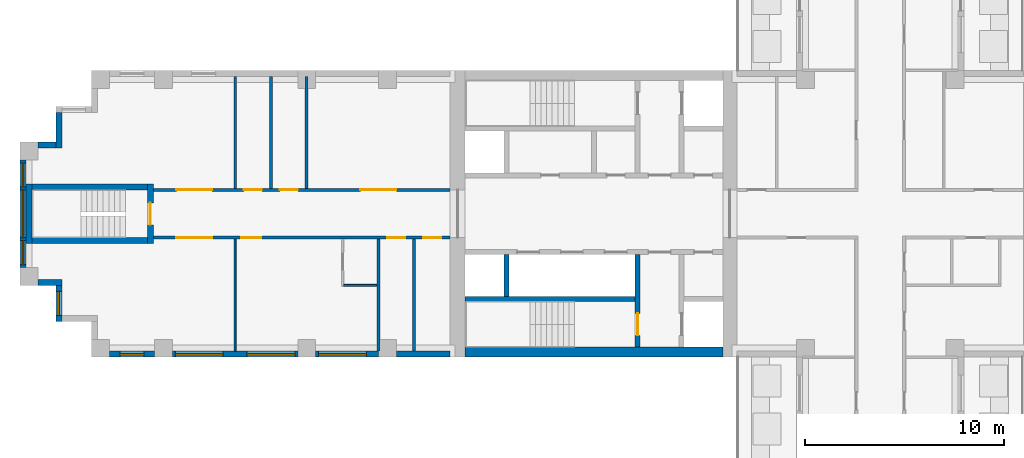
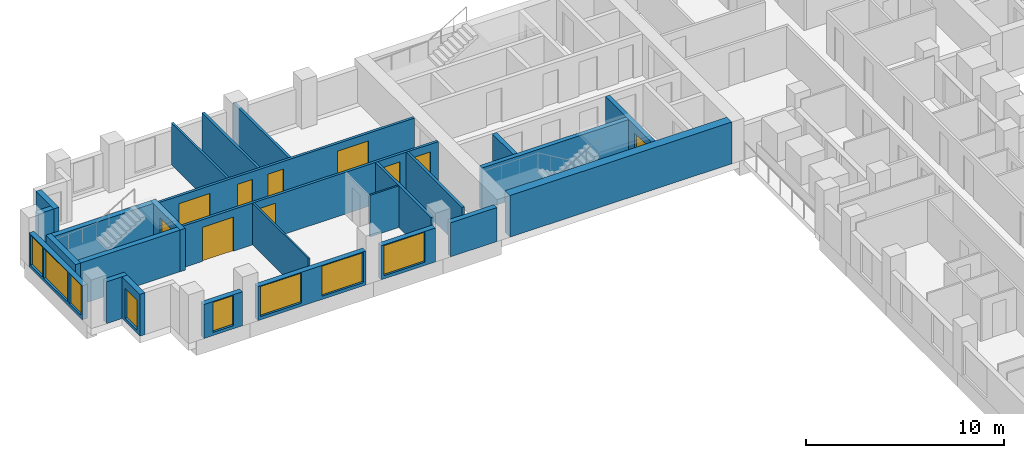
# One storey, part 5 of 13: 26 walls, 10 doors, 8 windows, 18 openings.
"""IFC4 building model written with IfcOpenShell, lengths in metres."""

from ifc_helpers import new_model, si_unit, direction, frame, frame_2d, origin, place, context, subcontext, project, spatial, rectangle, extrude, material, layer, layer_set, type_object, element, fill, save


model = new_model("IFC4")

# Units and contexts
model_context = context("Model", 3, precision=1e-05, world=origin(), true_north=direction((0.0, 1.0)))
body_context = subcontext(model_context, "Body", "Model", "MODEL_VIEW")
ifc_project = project(units=[si_unit("LENGTHUNIT", "METRE"), si_unit("AREAUNIT", "SQUARE_METRE"), si_unit("VOLUMEUNIT", "CUBIC_METRE"), si_unit("PLANEANGLEUNIT", "RADIAN"), si_unit("MASSUNIT", "GRAM", prefix="KILO")], contexts=[model_context])

# Site, building, storey
site_placement = place(None, origin())
site = spatial("IfcSite", under=ifc_project, at=site_placement, CompositionType="ELEMENT")
building_placement = place(site_placement, origin())
building = spatial("IfcBuilding", under=site, at=building_placement, Name="Fustian Cross Tower", CompositionType="ELEMENT")
storey_placement = place(building_placement, frame((0.0, 0.0, 81.89990234375)))
storey = spatial("IfcBuildingStorey", under=building, at=storey_placement, Name="L25", CompositionType="ELEMENT", Elevation=81.89990234375)

# Wall, openings, doors
ifc_material_1 = material(Name="Plasterboard on steel stud", Category="steel")
ifc_layer_1 = layer(ifc_material_1, 0.14990234375)
ifc_layer_set_1 = layer_set([ifc_layer_1], Name="Plasterboard on steel stud")
wall_type_1 = type_object("IfcWallType", Name="COMPARTMENT WALL 150 EI 60", PredefinedType="PARTITIONING", material=ifc_layer_set_1)
wall_1_placement = place(storey_placement, frame((-36.5, -1.199951171875, 0.0), z_axis=(0.0, 0.0, 1.0), x_axis=(1.0, 0.0, 0.0)))
wall_1 = element("IfcWall", 1, at=wall_1_placement, inside=storey, type_object=wall_type_1, Name="Partition 1", PredefinedType="PARTITIONING", context=body_context, shape_type="SweptSolid", body=[
    extrude(rectangle(XDim=14.89990234375, YDim=0.14990234375, at=frame_2d((7.449951171875, 0.0))), origin(), (0.0, 0.0, 1.0), 2.5751953125),
])
opening_1_placement = place(wall_1_placement, frame((13.550048828125, 0.0, 0.0)))
opening_1 = element("IfcOpeningElement", 2, at=opening_1_placement, cuts=wall_1, Name="Opening D12028", PredefinedType="OPENING", context=body_context, shape_type="SweptSolid", body=[
    extrude(rectangle(XDim=0.89990234375, YDim=2.10009765625, at=frame_2d((0.449951171875, 1.050048828125))), frame((0.0, 0.0849609375, 0.0), z_axis=(0.0, -1.0, 0.0), x_axis=(1.0, 0.0, 0.0)), (0.0, 0.0, 1.0), 0.169921875),
])
opening_2_placement = place(wall_1_placement, frame((11.75, 0.0, 0.0)))
opening_2 = element("IfcOpeningElement", 3, at=opening_2_placement, cuts=wall_1, Name="Opening D12029", PredefinedType="OPENING", context=body_context, shape_type="SweptSolid", body=[
    extrude(rectangle(XDim=0.89990234375, YDim=2.10009765625, at=frame_2d((0.449951171875, 1.050048828125))), frame((0.0, 0.0849609375, 0.0), z_axis=(0.0, -1.0, 0.0), x_axis=(1.0, 0.0, 0.0)), (0.0, 0.0, 1.0), 0.169921875),
])
opening_3_placement = place(wall_1_placement, frame((4.409912109375, 0.0, 0.0)))
opening_3 = element("IfcOpeningElement", 4, at=opening_3_placement, cuts=wall_1, Name="Opening D12031", PredefinedType="OPENING", context=body_context, shape_type="SweptSolid", body=[
    extrude(rectangle(XDim=1.0, YDim=2.10009765625, at=frame_2d((0.5, 1.050048828125))), frame((0.0, 0.0849609375, 0.0), z_axis=(0.0, -1.0, 0.0), x_axis=(1.0, 0.0, 0.0)), (0.0, 0.0, 1.0), 0.169921875),
])
opening_4_placement = place(wall_1_placement, frame((1.14990234375, 0.0, 0.0)))
opening_4 = element("IfcOpeningElement", 5, at=opening_4_placement, cuts=wall_1, Name="Opening D12032", PredefinedType="OPENING", context=body_context, shape_type="SweptSolid", body=[
    extrude(rectangle(XDim=1.800048828125, YDim=2.10009765625, at=frame_2d((0.89990234375, 1.050048828125))), frame((0.0, 0.0849609375, 0.0), z_axis=(0.0, -1.0, 0.0), x_axis=(1.0, 0.0, 0.0)), (0.0, 0.0, 1.0), 0.169921875),
])
ifc_material_2 = material(Name="Timber fire door set", Category="wood")
door_type_1 = type_object("IfcDoorType", Name="FIRE DOUBLE DOOR 1800 FD30S", OperationType="DOUBLE_DOOR_DOUBLE_SWING", PredefinedType="DOOR", material=ifc_material_2)
door_1_placement = place(opening_4_placement, origin())
door_1 = element("IfcDoor", 6, at=door_1_placement, inside=storey, type_object=door_type_1, Name="Door D12032", OperationType="DOUBLE_DOOR_DOUBLE_SWING", OverallHeight=2.10009765625, OverallWidth=1.800048828125, PredefinedType="DOOR", context=body_context, shape_type="SweptSolid", body=[
    extrude(rectangle(XDim=1.800048828125, YDim=2.10009765625, at=frame_2d((0.89990234375, 1.050048828125))), frame((0.0, 0.02490234375, 0.0), z_axis=(0.0, -1.0, 0.0), x_axis=(1.0, 0.0, 0.0)), (0.0, 0.0, 1.0), 0.050048828125),
])
fill(opening_4, door_1)
ifc_material_3 = material(Name="Timber fire door set", Category="wood")
door_type_2 = type_object("IfcDoorType", Name="FIRE SWING DOOR 1000 FD30S", OperationType="SINGLE_SWING_LEFT", PredefinedType="DOOR", material=ifc_material_3)
door_2_placement = place(opening_3_placement, frame((1.0, 0.0, 0.0), z_axis=(0.0, 0.0, 1.0), x_axis=(-1.0, 0.0, 0.0)))
door_2 = element("IfcDoor", 7, at=door_2_placement, inside=storey, type_object=door_type_2, Name="Door D12031", OperationType="SINGLE_SWING_RIGHT", OverallHeight=2.10009765625, OverallWidth=1.0, PredefinedType="DOOR", context=body_context, shape_type="SweptSolid", body=[
    extrude(rectangle(XDim=1.0, YDim=2.10009765625, at=frame_2d((0.5, 1.050048828125))), frame((0.0, 0.02490234375, 0.0), z_axis=(0.0, -1.0, 0.0), x_axis=(1.0, 0.0, 0.0)), (0.0, 0.0, 1.0), 0.050048828125),
])
fill(opening_3, door_2)
ifc_material_4 = material(Name="Timber fire door set", Category="wood")
door_type_3 = type_object("IfcDoorType", Name="FIRE SWING DOOR 900 FD30S", OperationType="SINGLE_SWING_LEFT", PredefinedType="DOOR", material=ifc_material_4)
door_3_placement = place(opening_1_placement, frame((0.89990234375, 0.0, 0.0), z_axis=(0.0, 0.0, 1.0), x_axis=(-1.0, 0.0, 0.0)))
door_3 = element("IfcDoor", 8, at=door_3_placement, inside=storey, type_object=door_type_3, Name="Door D12028", OperationType="SINGLE_SWING_LEFT", OverallHeight=2.10009765625, OverallWidth=0.89990234375, PredefinedType="DOOR", context=body_context, shape_type="SweptSolid", body=[
    extrude(rectangle(XDim=0.89990234375, YDim=2.10009765625, at=frame_2d((0.449951171875, 1.050048828125))), frame((0.0, 0.02490234375, 0.0), z_axis=(0.0, -1.0, 0.0), x_axis=(1.0, 0.0, 0.0)), (0.0, 0.0, 1.0), 0.050048828125),
])
fill(opening_1, door_3)
door_4_placement = place(opening_2_placement, frame((0.89990234375, 0.0, 0.0), z_axis=(0.0, 0.0, 1.0), x_axis=(-1.0, 0.0, 0.0)))
door_4 = element("IfcDoor", 9, at=door_4_placement, inside=storey, type_object=door_type_3, Name="Door D12029", OperationType="SINGLE_SWING_LEFT", OverallHeight=2.10009765625, OverallWidth=0.89990234375, PredefinedType="DOOR", context=body_context, shape_type="SweptSolid", body=[
    extrude(rectangle(XDim=0.89990234375, YDim=2.10009765625, at=frame_2d((0.449951171875, 1.050048828125))), frame((0.0, 0.02490234375, 0.0), z_axis=(0.0, -1.0, 0.0), x_axis=(1.0, 0.0, 0.0)), (0.0, 0.0, 1.0), 0.050048828125),
])
fill(opening_2, door_4)

wall_2_placement = place(storey_placement, frame((-36.5, 1.199951171875, 0.0), z_axis=(0.0, 0.0, 1.0), x_axis=(1.0, 0.0, 0.0)))
wall_2 = element("IfcWall", 10, at=wall_2_placement, inside=storey, type_object=wall_type_1, Name="Partition 2", PredefinedType="PARTITIONING", context=body_context, shape_type="SweptSolid", body=[
    extrude(rectangle(XDim=14.89990234375, YDim=0.14990234375, at=frame_2d((7.449951171875, 0.0))), origin(), (0.0, 0.0, 1.0), 2.5751953125),
])
opening_5_placement = place(wall_2_placement, frame((10.39990234375, 0.0, 0.0)))
opening_5 = element("IfcOpeningElement", 11, at=opening_5_placement, cuts=wall_2, Name="Opening D12033", PredefinedType="OPENING", context=body_context, shape_type="SweptSolid", body=[
    extrude(rectangle(XDim=1.800048828125, YDim=2.10009765625, at=frame_2d((0.89990234375, 1.050048828125))), frame((0.0, 0.0849609375, 0.0), z_axis=(0.0, -1.0, 0.0), x_axis=(1.0, 0.0, 0.0)), (0.0, 0.0, 1.0), 0.169921875),
])
opening_6_placement = place(wall_2_placement, frame((6.35009765625, 0.0, 0.0)))
opening_6 = element("IfcOpeningElement", 12, at=opening_6_placement, cuts=wall_2, Name="Opening D12034", PredefinedType="OPENING", context=body_context, shape_type="SweptSolid", body=[
    extrude(rectangle(XDim=0.89990234375, YDim=2.10009765625, at=frame_2d((0.449951171875, 1.050048828125))), frame((0.0, 0.0849609375, 0.0), z_axis=(0.0, -1.0, 0.0), x_axis=(1.0, 0.0, 0.0)), (0.0, 0.0, 1.0), 0.169921875),
])
opening_7_placement = place(wall_2_placement, frame((4.550048828125, 0.0, 0.0)))
opening_7 = element("IfcOpeningElement", 13, at=opening_7_placement, cuts=wall_2, Name="Opening D12035", PredefinedType="OPENING", context=body_context, shape_type="SweptSolid", body=[
    extrude(rectangle(XDim=0.89990234375, YDim=2.10009765625, at=frame_2d((0.449951171875, 1.050048828125))), frame((0.0, 0.0849609375, 0.0), z_axis=(0.0, -1.0, 0.0), x_axis=(1.0, 0.0, 0.0)), (0.0, 0.0, 1.0), 0.169921875),
])
opening_8_placement = place(wall_2_placement, frame((1.14990234375, 0.0, 0.0)))
opening_8 = element("IfcOpeningElement", 14, at=opening_8_placement, cuts=wall_2, Name="Opening D12036", PredefinedType="OPENING", context=body_context, shape_type="SweptSolid", body=[
    extrude(rectangle(XDim=1.800048828125, YDim=2.10009765625, at=frame_2d((0.89990234375, 1.050048828125))), frame((0.0, 0.0849609375, 0.0), z_axis=(0.0, -1.0, 0.0), x_axis=(1.0, 0.0, 0.0)), (0.0, 0.0, 1.0), 0.169921875),
])
door_5_placement = place(opening_5_placement, frame((1.800048828125, 0.0, 0.0), z_axis=(0.0, 0.0, 1.0), x_axis=(-1.0, 0.0, 0.0)))
door_5 = element("IfcDoor", 15, at=door_5_placement, inside=storey, type_object=door_type_1, Name="Door D12033", OperationType="DOUBLE_DOOR_DOUBLE_SWING", OverallHeight=2.10009765625, OverallWidth=1.800048828125, PredefinedType="DOOR", context=body_context, shape_type="SweptSolid", body=[
    extrude(rectangle(XDim=1.800048828125, YDim=2.10009765625, at=frame_2d((0.89990234375, 1.050048828125))), frame((0.0, 0.02490234375, 0.0), z_axis=(0.0, -1.0, 0.0), x_axis=(1.0, 0.0, 0.0)), (0.0, 0.0, 1.0), 0.050048828125),
])
fill(opening_5, door_5)
door_6_placement = place(opening_8_placement, frame((1.800048828125, 0.0, 0.0), z_axis=(0.0, 0.0, 1.0), x_axis=(-1.0, 0.0, 0.0)))
door_6 = element("IfcDoor", 16, at=door_6_placement, inside=storey, type_object=door_type_1, Name="Door D12036", OperationType="DOUBLE_DOOR_DOUBLE_SWING", OverallHeight=2.10009765625, OverallWidth=1.800048828125, PredefinedType="DOOR", context=body_context, shape_type="SweptSolid", body=[
    extrude(rectangle(XDim=1.800048828125, YDim=2.10009765625, at=frame_2d((0.89990234375, 1.050048828125))), frame((0.0, 0.02490234375, 0.0), z_axis=(0.0, -1.0, 0.0), x_axis=(1.0, 0.0, 0.0)), (0.0, 0.0, 1.0), 0.050048828125),
])
fill(opening_8, door_6)
door_7_placement = place(opening_6_placement, origin())
door_7 = element("IfcDoor", 17, at=door_7_placement, inside=storey, type_object=door_type_3, Name="Door D12034", OperationType="SINGLE_SWING_RIGHT", OverallHeight=2.10009765625, OverallWidth=0.89990234375, PredefinedType="DOOR", context=body_context, shape_type="SweptSolid", body=[
    extrude(rectangle(XDim=0.89990234375, YDim=2.10009765625, at=frame_2d((0.449951171875, 1.050048828125))), frame((0.0, 0.02490234375, 0.0), z_axis=(0.0, -1.0, 0.0), x_axis=(1.0, 0.0, 0.0)), (0.0, 0.0, 1.0), 0.050048828125),
])
fill(opening_6, door_7)
door_8_placement = place(opening_7_placement, origin())
door_8 = element("IfcDoor", 18, at=door_8_placement, inside=storey, type_object=door_type_3, Name="Door D12035", OperationType="SINGLE_SWING_RIGHT", OverallHeight=2.10009765625, OverallWidth=0.89990234375, PredefinedType="DOOR", context=body_context, shape_type="SweptSolid", body=[
    extrude(rectangle(XDim=0.89990234375, YDim=2.10009765625, at=frame_2d((0.449951171875, 1.050048828125))), frame((0.0, 0.02490234375, 0.0), z_axis=(0.0, -1.0, 0.0), x_axis=(1.0, 0.0, 0.0)), (0.0, 0.0, 1.0), 0.050048828125),
])
fill(opening_7, door_8)

# Walls
for number, where, z_axis, x_axis, name in (
    (19, (-30.60009765625, 1.27490234375, 0.0), (0.0, 0.0, 1.0), (0.0, 1.0, 0.0), "Partition 5"),
    (20, (-28.800048828125, 1.27490234375, 0.0), (0.0, 0.0, 1.0), (0.0, 1.0, 0.0), "Partition 6"),
    (21, (-25.199951171875, -6.89990234375, 0.0), (0.0, 0.0, 1.0), (0.0, 1.0, 0.0), "Partition 9"),
    (22, (-23.39990234375, -6.89990234375, 0.0), (0.0, 0.0, 1.0), (0.0, 1.0, 0.0), "Partition 10"),
):
    element("IfcWall", number, at=place(storey_placement, frame(where, z_axis=z_axis, x_axis=x_axis)), inside=storey, type_object=wall_type_1, Name=name, PredefinedType="PARTITIONING", context=body_context, shape_type="SweptSolid", body=[
        extrude(rectangle(XDim=5.625, YDim=0.14990234375, at=frame_2d((2.8125, 0.0))), origin(), (0.0, 0.0, 1.0), 2.5751953125),
    ])
ifc_material_5 = material(Name="Concrete C70/85", Category="concrete")
ifc_layer_2 = layer(ifc_material_5, 0.5)
ifc_layer_set_2 = layer_set([ifc_layer_2], Name="Concrete C70/85")
wall_type_2 = type_object("IfcWallType", Name="CORE FACADE WALL 500 C70/85", PredefinedType="SHEAR", material=ifc_layer_set_2)
wall_3_placement = place(storey_placement, frame((-7.89990234375, -6.949951171875, 0.0), z_axis=(0.0, 0.0, 1.0), x_axis=(-1.0, 0.0, 0.0)))
element("IfcWall", 23, at=wall_3_placement, inside=storey, type_object=wall_type_2, Name="Core facade wall", PredefinedType="SHEAR", context=body_context, shape_type="SweptSolid", body=[
    extrude(rectangle(XDim=12.9501953125, YDim=0.5, at=frame_2d((6.47509765625, 0.0))), origin(), (0.0, 0.0, 1.0), 2.5751953125),
])
ifc_material_6 = material(Name="Concrete C50/60", Category="concrete")
ifc_layer_3 = layer(ifc_material_6, 0.25)
ifc_layer_set_3 = layer_set([ifc_layer_3], Name="Concrete C50/60")
wall_type_3 = type_object("IfcWallType", Name="CORE SHAFT WALL 250 C50/60", PredefinedType="SHEAR", material=ifc_layer_set_3)
wall_4_placement = place(storey_placement, frame((-12.300048828125, -4.27490234375, 0.0), z_axis=(0.0, 0.0, 1.0), x_axis=(-1.0, 0.0, 0.0)))
element("IfcWall", 24, at=wall_4_placement, inside=storey, type_object=wall_type_3, Name="Core shaft wall", PredefinedType="SHEAR", context=body_context, shape_type="SweptSolid", body=[
    extrude(rectangle(XDim=8.550048828125, YDim=0.25, at=frame_2d((4.27490234375, 0.0))), origin(), (0.0, 0.0, 1.0), 2.5751953125),
])

# Wall, opening, door
wall_5_placement = place(storey_placement, frame((-12.175048828125, -2.050048828125, 0.0), z_axis=(0.0, 0.0, 1.0), x_axis=(0.0, -1.0, 0.0)))
wall_5 = element("IfcWall", 25, at=wall_5_placement, inside=storey, type_object=wall_type_3, Name="Core shaft wall", PredefinedType="SHEAR", context=body_context, shape_type="SweptSolid", body=[
    extrude(rectangle(XDim=4.64990234375, YDim=0.25, at=frame_2d((2.324951171875, 0.0))), origin(), (0.0, 0.0, 1.0), 2.5751953125),
])
opening_9_placement = place(wall_5_placement, frame((2.949951171875, 0.0, 0.0)))
opening_9 = element("IfcOpeningElement", 26, at=opening_9_placement, cuts=wall_5, Name="Opening CD-10-22", PredefinedType="OPENING", context=body_context, shape_type="SweptSolid", body=[
    extrude(rectangle(XDim=1.10009765625, YDim=2.10009765625, at=frame_2d((0.550048828125, 1.050048828125))), frame((0.0, 0.135009765625, 0.0), z_axis=(0.0, -1.0, 0.0), x_axis=(1.0, 0.0, 0.0)), (0.0, 0.0, 1.0), 0.27001953125),
])
ifc_material_7 = material(Name="Steel", Category="steel")
door_type_4 = type_object("IfcDoorType", Name="FIRE DOOR FD60S 1100X2100", OperationType="SINGLE_SWING_LEFT", PredefinedType="DOOR", material=ifc_material_7)
door_9_placement = place(opening_9_placement, frame((1.10009765625, 0.0, 0.0), z_axis=(0.0, 0.0, 1.0), x_axis=(-1.0, 0.0, 0.0)))
door_9 = element("IfcDoor", 27, at=door_9_placement, inside=storey, type_object=door_type_4, Name="Core door CD-10-22", OperationType="SINGLE_SWING_RIGHT", OverallHeight=2.10009765625, OverallWidth=1.10009765625, PredefinedType="DOOR", context=body_context, shape_type="SweptSolid", body=[
    extrude(rectangle(XDim=1.10009765625, YDim=2.10009765625, at=frame_2d((0.550048828125, 1.050048828125))), frame((0.0, 0.02490234375, 0.0), z_axis=(0.0, -1.0, 0.0), x_axis=(1.0, 0.0, 0.0)), (0.0, 0.0, 1.0), 0.050048828125),
])
fill(opening_9, door_9)

# Walls
ifc_material_8 = material(Name="Plasterboard on steel stud", Category="steel")
ifc_layer_4 = layer(ifc_material_8, 0.10009765625)
ifc_layer_set_4 = layer_set([ifc_layer_4], Name="Plasterboard on steel stud")
wall_type_4 = type_object("IfcWallType", Name="PARTITION 100 STUD", PredefinedType="PARTITIONING", material=ifc_layer_set_4)
wall_6_placement = place(storey_placement, frame((-32.39990234375, -6.89990234375, 0.0), z_axis=(0.0, 0.0, 1.0), x_axis=(0.0, 1.0, 0.0)))
element("IfcWall", 28, at=wall_6_placement, inside=storey, type_object=wall_type_4, Name="Partition 3", PredefinedType="PARTITIONING", context=body_context, shape_type="SweptSolid", body=[
    extrude(rectangle(XDim=5.625, YDim=0.10009765625, at=frame_2d((2.8125, 0.0))), origin(), (0.0, 0.0, 1.0), 2.5751953125),
])
wall_7_placement = place(storey_placement, frame((-26.949951171875, -3.60009765625, 0.0), z_axis=(0.0, 0.0, 1.0), x_axis=(1.0, 0.0, 0.0)))
element("IfcWall", 29, at=wall_7_placement, inside=storey, type_object=wall_type_4, Name="Partition 8", PredefinedType="PARTITIONING", context=body_context, shape_type="SweptSolid", body=[
    extrude(rectangle(XDim=1.675048828125, YDim=0.10009765625, at=frame_2d((0.83740234375, 0.0))), origin(), (0.0, 0.0, 1.0), 2.5751953125),
])
ifc_material_9 = material(Name="Concrete C40/50", Category="concrete")
ifc_layer_5 = layer(ifc_material_9, 0.25)
ifc_layer_set_5 = layer_set([ifc_layer_5], Name="Concrete C40/50")
wall_type_5 = type_object("IfcWallType", Name="SHAFT PARTITION WALL 250 C40/50", PredefinedType="PARTITIONING", material=ifc_layer_set_5)
wall_8_placement = place(storey_placement, frame((-18.77490234375, -2.050048828125, 0.0), z_axis=(0.0, 0.0, 1.0), x_axis=(0.0, -1.0, 0.0)))
element("IfcWall", 30, at=wall_8_placement, inside=storey, type_object=wall_type_5, Name="Core shaft wall", PredefinedType="PARTITIONING", context=body_context, shape_type="SweptSolid", body=[
    extrude(rectangle(XDim=2.099853515625, YDim=0.25, at=frame_2d((1.0498046875, 0.0))), origin(), (0.0, 0.0, 1.0), 2.5751953125),
])

# Wall, opening, door
ifc_material_10 = material(Name="Concrete C50/60", Category="concrete")
ifc_layer_6 = layer(ifc_material_10, 0.300048828125)
ifc_layer_set_6 = layer_set([ifc_layer_6], Name="Concrete C50/60")
wall_type_6 = type_object("IfcWallType", Name="STAIR ENCLOSURE WALL 300 C50/60", PredefinedType="SHEAR", material=ifc_layer_set_6)
wall_9_placement = place(storey_placement, frame((-36.64990234375, -1.5, 0.0), z_axis=(0.0, 0.0, 1.0), x_axis=(0.0, 1.0, 0.0)))
wall_9 = element("IfcWall", 31, at=wall_9_placement, inside=storey, type_object=wall_type_6, Name="Stair enclosure wall", PredefinedType="SHEAR", context=body_context, shape_type="SweptSolid", body=[
    extrude(rectangle(XDim=3.0, YDim=0.300048828125, at=frame_2d((1.5, 0.0))), origin(), (0.0, 0.0, 1.0), 2.5751953125),
])
opening_10_placement = place(wall_9_placement, frame((0.949951171875, 0.0, 0.0)))
opening_10 = element("IfcOpeningElement", 32, at=opening_10_placement, cuts=wall_9, Name="Opening CD-10-33", PredefinedType="OPENING", context=body_context, shape_type="SweptSolid", body=[
    extrude(rectangle(XDim=1.10009765625, YDim=2.10009765625, at=frame_2d((0.550048828125, 1.050048828125))), frame((0.0, 0.159912109375, 0.0), z_axis=(0.0, -1.0, 0.0), x_axis=(1.0, 0.0, 0.0)), (0.0, 0.0, 1.0), 0.320068359375),
])
door_10_placement = place(opening_10_placement, origin())
door_10 = element("IfcDoor", 33, at=door_10_placement, inside=storey, type_object=door_type_4, Name="Core door CD-10-33", OperationType="SINGLE_SWING_LEFT", OverallHeight=2.10009765625, OverallWidth=1.10009765625, PredefinedType="DOOR", context=body_context, shape_type="SweptSolid", body=[
    extrude(rectangle(XDim=1.10009765625, YDim=2.10009765625, at=frame_2d((0.550048828125, 1.050048828125))), frame((0.0, 0.02490234375, 0.0), z_axis=(0.0, -1.0, 0.0), x_axis=(1.0, 0.0, 0.0)), (0.0, 0.0, 1.0), 0.050048828125),
])
fill(opening_10, door_10)

# Walls
wall_10_placement = place(storey_placement, frame((-42.75, -1.5, 0.0), z_axis=(0.0, 0.0, 1.0), x_axis=(0.0, 1.0, 0.0)))
element("IfcWall", 34, at=wall_10_placement, inside=storey, type_object=wall_type_6, Name="Stair enclosure wall", PredefinedType="SHEAR", context=body_context, shape_type="SweptSolid", body=[
    extrude(rectangle(XDim=3.0, YDim=0.300048828125, at=frame_2d((1.5, 0.0))), origin(), (0.0, 0.0, 1.0), 2.5751953125),
])
for number, where, z_axis, x_axis, name in (
    (35, (-36.800048828125, -1.35009765625, 0.0), (0.0, 0.0, 1.0), (-1.0, 0.0, 0.0), "Stair enclosure wall"),
    (36, (-36.800048828125, 1.35009765625, 0.0), (0.0, 0.0, 1.0), (-1.0, 0.0, 0.0), "Stair enclosure wall"),
):
    element("IfcWall", number, at=place(storey_placement, frame(where, z_axis=z_axis, x_axis=x_axis)), inside=storey, type_object=wall_type_6, Name=name, PredefinedType="SHEAR", context=body_context, shape_type="SweptSolid", body=[
        extrude(rectangle(XDim=5.800048828125, YDim=0.300048828125, at=frame_2d((2.89990234375, 0.0))), origin(), (0.0, 0.0, 1.0), 2.5751953125),
    ])
ifc_material_11 = material(Name="Plasterboard on steel stud", Category="steel")
ifc_layer_7 = layer(ifc_material_11, 0.125)
ifc_layer_set_7 = layer_set([ifc_layer_7], Name="Plasterboard on steel stud")
wall_type_7 = type_object("IfcWallType", Name="WET WALL 125 STUD", PredefinedType="PARTITIONING", material=ifc_layer_set_7)
wall_11_placement = place(storey_placement, frame((-32.39990234375, 1.27490234375, 0.0), z_axis=(0.0, 0.0, 1.0), x_axis=(0.0, 1.0, 0.0)))
element("IfcWall", 37, at=wall_11_placement, inside=storey, type_object=wall_type_7, Name="Partition 4", PredefinedType="PARTITIONING", context=body_context, shape_type="SweptSolid", body=[
    extrude(rectangle(XDim=5.625, YDim=0.125, at=frame_2d((2.8125, 0.0))), origin(), (0.0, 0.0, 1.0), 2.5751953125),
])
ifc_material_12 = material(Name="Dark aluminium cladding on insulated backing wall", Category="aluminium")
ifc_layer_8 = layer(ifc_material_12, 0.300048828125)
ifc_layer_set_8 = layer_set([ifc_layer_8], Name="Dark aluminium cladding on insulated backing wall")
wall_type_8 = type_object("IfcWallType", Name="XW1 EXTERNAL WALL 300", PredefinedType="SOLIDWALL", material=ifc_layer_set_8)
wall_12_placement = place(storey_placement, frame((-41.25, 5.10009765625, 0.0), z_axis=(0.0, 0.0, 1.0), x_axis=(0.0, -1.0, 0.0)))
element("IfcWall", 38, at=wall_12_placement, inside=storey, type_object=wall_type_8, Name="External wall", PredefinedType="SOLIDWALL", context=body_context, shape_type="SweptSolid", body=[
    extrude(rectangle(XDim=1.800048828125, YDim=0.300048828125, at=frame_2d((0.89990234375, 0.0))), origin(), (0.0, 0.0, 1.0), 2.5751953125),
])
wall_13_placement = place(storey_placement, frame((-41.39990234375, 3.449951171875, 0.0), z_axis=(0.0, 0.0, 1.0), x_axis=(-1.0, 0.0, 0.0)))
element("IfcWall", 39, at=wall_13_placement, inside=storey, type_object=wall_type_8, Name="External wall", PredefinedType="SOLIDWALL", context=body_context, shape_type="SweptSolid", body=[
    extrude(rectangle(XDim=0.900146484375, YDim=0.300048828125, at=frame_2d((0.4501953125, 0.0))), origin(), (0.0, 0.0, 1.0), 2.5751953125),
])

# Wall, openings, windows
wall_14_placement = place(storey_placement, frame((-43.050048828125, 2.699951171875, 0.0), z_axis=(0.0, 0.0, 1.0), x_axis=(0.0, -1.0, 0.0)))
wall_14 = element("IfcWall", 40, at=wall_14_placement, inside=storey, type_object=wall_type_8, Name="External wall", PredefinedType="SOLIDWALL", context=body_context, shape_type="SweptSolid", body=[
    extrude(rectangle(XDim=5.39990234375, YDim=0.300048828125, at=frame_2d((2.699951171875, 0.0))), origin(), (0.0, 0.0, 1.0), 2.10009765625),
])
opening_11_placement = place(wall_14_placement, frame((1.5, 0.0, 0.199951171875)))
opening_11 = element("IfcOpeningElement", 41, at=opening_11_placement, cuts=wall_14, Name="Opening WN1", PredefinedType="OPENING", context=body_context, shape_type="SweptSolid", body=[
    extrude(rectangle(XDim=2.39990234375, YDim=1.85009765625, at=frame_2d((1.199951171875, 0.925048828125))), frame((0.0, 0.159912109375, 0.0), z_axis=(0.0, -1.0, 0.0), x_axis=(1.0, 0.0, 0.0)), (0.0, 0.0, 1.0), 0.320068359375),
])
opening_12_placement = place(wall_14_placement, frame((0.14990234375, 0.0, 0.199951171875)))
opening_12 = element("IfcOpeningElement", 42, at=opening_12_placement, cuts=wall_14, Name="Opening WN3", PredefinedType="OPENING", context=body_context, shape_type="SweptSolid", body=[
    extrude(rectangle(XDim=1.199951171875, YDim=1.85009765625, at=frame_2d((0.60009765625, 0.925048828125))), frame((0.0, 0.159912109375, 0.0), z_axis=(0.0, -1.0, 0.0), x_axis=(1.0, 0.0, 0.0)), (0.0, 0.0, 1.0), 0.320068359375),
])
opening_13_placement = place(wall_14_placement, frame((4.050048828125, 0.0, 0.199951171875)))
opening_13 = element("IfcOpeningElement", 43, at=opening_13_placement, cuts=wall_14, Name="Opening WN3", PredefinedType="OPENING", context=body_context, shape_type="SweptSolid", body=[
    extrude(rectangle(XDim=1.199951171875, YDim=1.85009765625, at=frame_2d((0.60009765625, 0.925048828125))), frame((0.0, 0.159912109375, 0.0), z_axis=(0.0, -1.0, 0.0), x_axis=(1.0, 0.0, 0.0)), (0.0, 0.0, 1.0), 0.320068359375),
])
ifc_material_13 = material(Name="Dark anodised aluminium and double glazing", Category="aluminium")
window_type_1 = type_object("IfcWindowType", Name="WN1 WINDOW 2400X1850", PartitioningType="SINGLE_PANEL", PredefinedType="WINDOW", material=ifc_material_13)
window_1_placement = place(opening_11_placement, origin())
window_1 = element("IfcWindow", 44, at=window_1_placement, inside=storey, type_object=window_type_1, Name="Window", OverallHeight=1.85009765625, OverallWidth=2.39990234375, PartitioningType="SINGLE_PANEL", PredefinedType="WINDOW", context=body_context, shape_type="SweptSolid", body=[
    extrude(rectangle(XDim=2.39990234375, YDim=1.85009765625, at=frame_2d((1.199951171875, 0.925048828125))), frame((0.0, 0.030029296875, 0.0), z_axis=(0.0, -1.0, 0.0), x_axis=(1.0, 0.0, 0.0)), (0.0, 0.0, 1.0), 0.06005859375),
])
fill(opening_11, window_1)
ifc_material_14 = material(Name="Dark anodised aluminium and double glazing", Category="aluminium")
window_type_2 = type_object("IfcWindowType", Name="WN3 WINDOW 1200X1850", PartitioningType="SINGLE_PANEL", PredefinedType="WINDOW", material=ifc_material_14)
window_2_placement = place(opening_12_placement, origin())
window_2 = element("IfcWindow", 45, at=window_2_placement, inside=storey, type_object=window_type_2, Name="Window", OverallHeight=1.85009765625, OverallWidth=1.199951171875, PartitioningType="SINGLE_PANEL", PredefinedType="WINDOW", context=body_context, shape_type="SweptSolid", body=[
    extrude(rectangle(XDim=1.199951171875, YDim=1.85009765625, at=frame_2d((0.60009765625, 0.925048828125))), frame((0.0, 0.030029296875, 0.0), z_axis=(0.0, -1.0, 0.0), x_axis=(1.0, 0.0, 0.0)), (0.0, 0.0, 1.0), 0.06005859375),
])
fill(opening_12, window_2)
window_3_placement = place(opening_13_placement, origin())
window_3 = element("IfcWindow", 46, at=window_3_placement, inside=storey, type_object=window_type_2, Name="Window", OverallHeight=1.85009765625, OverallWidth=1.199951171875, PartitioningType="SINGLE_PANEL", PredefinedType="WINDOW", context=body_context, shape_type="SweptSolid", body=[
    extrude(rectangle(XDim=1.199951171875, YDim=1.85009765625, at=frame_2d((0.60009765625, 0.925048828125))), frame((0.0, 0.030029296875, 0.0), z_axis=(0.0, -1.0, 0.0), x_axis=(1.0, 0.0, 0.0)), (0.0, 0.0, 1.0), 0.06005859375),
])
fill(opening_13, window_3)

# Wall
wall_15_placement = place(storey_placement, frame((-42.300048828125, -3.449951171875, 0.0), z_axis=(0.0, 0.0, 1.0), x_axis=(1.0, 0.0, 0.0)))
element("IfcWall", 47, at=wall_15_placement, inside=storey, type_object=wall_type_8, Name="External wall", PredefinedType="SOLIDWALL", context=body_context, shape_type="SweptSolid", body=[
    extrude(rectangle(XDim=1.199951171875, YDim=0.300048828125, at=frame_2d((0.60009765625, 0.0))), origin(), (0.0, 0.0, 1.0), 2.5751953125),
])

# Wall, opening, window
wall_16_placement = place(storey_placement, frame((-41.25, -3.60009765625, 0.0), z_axis=(0.0, 0.0, 1.0), x_axis=(0.0, -1.0, 0.0)))
wall_16 = element("IfcWall", 48, at=wall_16_placement, inside=storey, type_object=wall_type_8, Name="External wall", PredefinedType="SOLIDWALL", context=body_context, shape_type="SweptSolid", body=[
    extrude(rectangle(XDim=1.7998046875, YDim=0.300048828125, at=frame_2d((0.89990234375, 0.0))), origin(), (0.0, 0.0, 1.0), 2.5751953125),
])
opening_14_placement = place(wall_16_placement, frame((0.300048828125, 0.0, 0.199951171875)))
opening_14 = element("IfcOpeningElement", 49, at=opening_14_placement, cuts=wall_16, Name="Opening WN3", PredefinedType="OPENING", context=body_context, shape_type="SweptSolid", body=[
    extrude(rectangle(XDim=1.199951171875, YDim=1.85009765625, at=frame_2d((0.60009765625, 0.925048828125))), frame((0.0, 0.159912109375, 0.0), z_axis=(0.0, -1.0, 0.0), x_axis=(1.0, 0.0, 0.0)), (0.0, 0.0, 1.0), 0.320068359375),
])
window_4_placement = place(opening_14_placement, origin())
window_4 = element("IfcWindow", 50, at=window_4_placement, inside=storey, type_object=window_type_2, Name="Window", OverallHeight=1.85009765625, OverallWidth=1.199951171875, PartitioningType="SINGLE_PANEL", PredefinedType="WINDOW", context=body_context, shape_type="SweptSolid", body=[
    extrude(rectangle(XDim=1.199951171875, YDim=1.85009765625, at=frame_2d((0.60009765625, 0.925048828125))), frame((0.0, 0.030029296875, 0.0), z_axis=(0.0, -1.0, 0.0), x_axis=(1.0, 0.0, 0.0)), (0.0, 0.0, 1.0), 0.06005859375),
])
fill(opening_14, window_4)

wall_17_placement = place(storey_placement, frame((-38.699951171875, -7.050048828125, 0.0), z_axis=(0.0, 0.0, 1.0), x_axis=(1.0, 0.0, 0.0)))
wall_17 = element("IfcWall", 51, at=wall_17_placement, inside=storey, type_object=wall_type_8, Name="External wall", PredefinedType="SOLIDWALL", context=body_context, shape_type="SweptSolid", body=[
    extrude(rectangle(XDim=2.25, YDim=0.300048828125, at=frame_2d((1.125, 0.0))), origin(), (0.0, 0.0, 1.0), 2.10009765625),
])
opening_15_placement = place(wall_17_placement, frame((0.52490234375, 0.0, 0.199951171875)))
opening_15 = element("IfcOpeningElement", 52, at=opening_15_placement, cuts=wall_17, Name="Opening WN3", PredefinedType="OPENING", context=body_context, shape_type="SweptSolid", body=[
    extrude(rectangle(XDim=1.199951171875, YDim=1.85009765625, at=frame_2d((0.60009765625, 0.925048828125))), frame((0.0, 0.159912109375, 0.0), z_axis=(0.0, -1.0, 0.0), x_axis=(1.0, 0.0, 0.0)), (0.0, 0.0, 1.0), 0.320068359375),
])
window_5_placement = place(opening_15_placement, origin())
window_5 = element("IfcWindow", 53, at=window_5_placement, inside=storey, type_object=window_type_2, Name="Window", OverallHeight=1.85009765625, OverallWidth=1.199951171875, PartitioningType="SINGLE_PANEL", PredefinedType="WINDOW", context=body_context, shape_type="SweptSolid", body=[
    extrude(rectangle(XDim=1.199951171875, YDim=1.85009765625, at=frame_2d((0.60009765625, 0.925048828125))), frame((0.0, 0.030029296875, 0.0), z_axis=(0.0, -1.0, 0.0), x_axis=(1.0, 0.0, 0.0)), (0.0, 0.0, 1.0), 0.06005859375),
])
fill(opening_15, window_5)

# Wall, openings, windows
wall_18_placement = place(storey_placement, frame((-35.550048828125, -7.050048828125, 0.0), z_axis=(0.0, 0.0, 1.0), x_axis=(1.0, 0.0, 0.0)))
wall_18 = element("IfcWall", 54, at=wall_18_placement, inside=storey, type_object=wall_type_8, Name="External wall", PredefinedType="SOLIDWALL", context=body_context, shape_type="SweptSolid", body=[
    extrude(rectangle(XDim=6.300048828125, YDim=0.300048828125, at=frame_2d((3.14990234375, 0.0))), origin(), (0.0, 0.0, 1.0), 2.10009765625),
])
opening_16_placement = place(wall_18_placement, frame((0.14990234375, 0.0, 0.199951171875)))
opening_16 = element("IfcOpeningElement", 55, at=opening_16_placement, cuts=wall_18, Name="Opening WN1", PredefinedType="OPENING", context=body_context, shape_type="SweptSolid", body=[
    extrude(rectangle(XDim=2.39990234375, YDim=1.85009765625, at=frame_2d((1.199951171875, 0.925048828125))), frame((0.0, 0.159912109375, 0.0), z_axis=(0.0, -1.0, 0.0), x_axis=(1.0, 0.0, 0.0)), (0.0, 0.0, 1.0), 0.320068359375),
])
opening_17_placement = place(wall_18_placement, frame((3.75, 0.0, 0.199951171875)))
opening_17 = element("IfcOpeningElement", 56, at=opening_17_placement, cuts=wall_18, Name="Opening WN1", PredefinedType="OPENING", context=body_context, shape_type="SweptSolid", body=[
    extrude(rectangle(XDim=2.39990234375, YDim=1.85009765625, at=frame_2d((1.199951171875, 0.925048828125))), frame((0.0, 0.159912109375, 0.0), z_axis=(0.0, -1.0, 0.0), x_axis=(1.0, 0.0, 0.0)), (0.0, 0.0, 1.0), 0.320068359375),
])
window_6_placement = place(opening_16_placement, origin())
window_6 = element("IfcWindow", 57, at=window_6_placement, inside=storey, type_object=window_type_1, Name="Window", OverallHeight=1.85009765625, OverallWidth=2.39990234375, PartitioningType="SINGLE_PANEL", PredefinedType="WINDOW", context=body_context, shape_type="SweptSolid", body=[
    extrude(rectangle(XDim=2.39990234375, YDim=1.85009765625, at=frame_2d((1.199951171875, 0.925048828125))), frame((0.0, 0.030029296875, 0.0), z_axis=(0.0, -1.0, 0.0), x_axis=(1.0, 0.0, 0.0)), (0.0, 0.0, 1.0), 0.06005859375),
])
fill(opening_16, window_6)
window_7_placement = place(opening_17_placement, origin())
window_7 = element("IfcWindow", 58, at=window_7_placement, inside=storey, type_object=window_type_1, Name="Window", OverallHeight=1.85009765625, OverallWidth=2.39990234375, PartitioningType="SINGLE_PANEL", PredefinedType="WINDOW", context=body_context, shape_type="SweptSolid", body=[
    extrude(rectangle(XDim=2.39990234375, YDim=1.85009765625, at=frame_2d((1.199951171875, 0.925048828125))), frame((0.0, 0.030029296875, 0.0), z_axis=(0.0, -1.0, 0.0), x_axis=(1.0, 0.0, 0.0)), (0.0, 0.0, 1.0), 0.06005859375),
])
fill(opening_17, window_7)

# Wall, opening, window
wall_19_placement = place(storey_placement, frame((-28.35009765625, -7.050048828125, 0.0), z_axis=(0.0, 0.0, 1.0), x_axis=(1.0, 0.0, 0.0)))
wall_19 = element("IfcWall", 59, at=wall_19_placement, inside=storey, type_object=wall_type_8, Name="External wall", PredefinedType="SOLIDWALL", context=body_context, shape_type="SweptSolid", body=[
    extrude(rectangle(XDim=3.150146484375, YDim=0.300048828125, at=frame_2d((1.5751953125, 0.0))), origin(), (0.0, 0.0, 1.0), 2.10009765625),
])
opening_18_placement = place(wall_19_placement, frame((0.14990234375, 0.0, 0.199951171875)))
opening_18 = element("IfcOpeningElement", 60, at=opening_18_placement, cuts=wall_19, Name="Opening WN1", PredefinedType="OPENING", context=body_context, shape_type="SweptSolid", body=[
    extrude(rectangle(XDim=2.39990234375, YDim=1.85009765625, at=frame_2d((1.199951171875, 0.925048828125))), frame((0.0, 0.159912109375, 0.0), z_axis=(0.0, -1.0, 0.0), x_axis=(1.0, 0.0, 0.0)), (0.0, 0.0, 1.0), 0.320068359375),
])
window_8_placement = place(opening_18_placement, origin())
window_8 = element("IfcWindow", 61, at=window_8_placement, inside=storey, type_object=window_type_1, Name="Window", OverallHeight=1.85009765625, OverallWidth=2.39990234375, PartitioningType="SINGLE_PANEL", PredefinedType="WINDOW", context=body_context, shape_type="SweptSolid", body=[
    extrude(rectangle(XDim=2.39990234375, YDim=1.85009765625, at=frame_2d((1.199951171875, 0.925048828125))), frame((0.0, 0.030029296875, 0.0), z_axis=(0.0, -1.0, 0.0), x_axis=(1.0, 0.0, 0.0)), (0.0, 0.0, 1.0), 0.06005859375),
])
fill(opening_18, window_8)

# Wall
wall_20_placement = place(storey_placement, frame((-24.300048828125, -7.050048828125, 0.0), z_axis=(0.0, 0.0, 1.0), x_axis=(1.0, 0.0, 0.0)))
element("IfcWall", 62, at=wall_20_placement, inside=storey, type_object=wall_type_8, Name="External wall", PredefinedType="SOLIDWALL", context=body_context, shape_type="SweptSolid", body=[
    extrude(rectangle(XDim=2.699951171875, YDim=0.300048828125, at=frame_2d((1.35009765625, 0.0))), origin(), (0.0, 0.0, 1.0), 2.10009765625),
])

save(model, "model.ifc")
